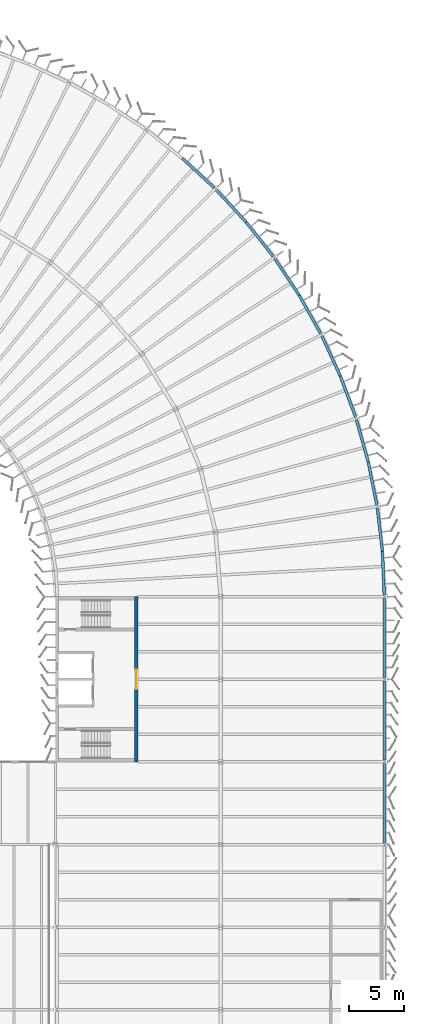
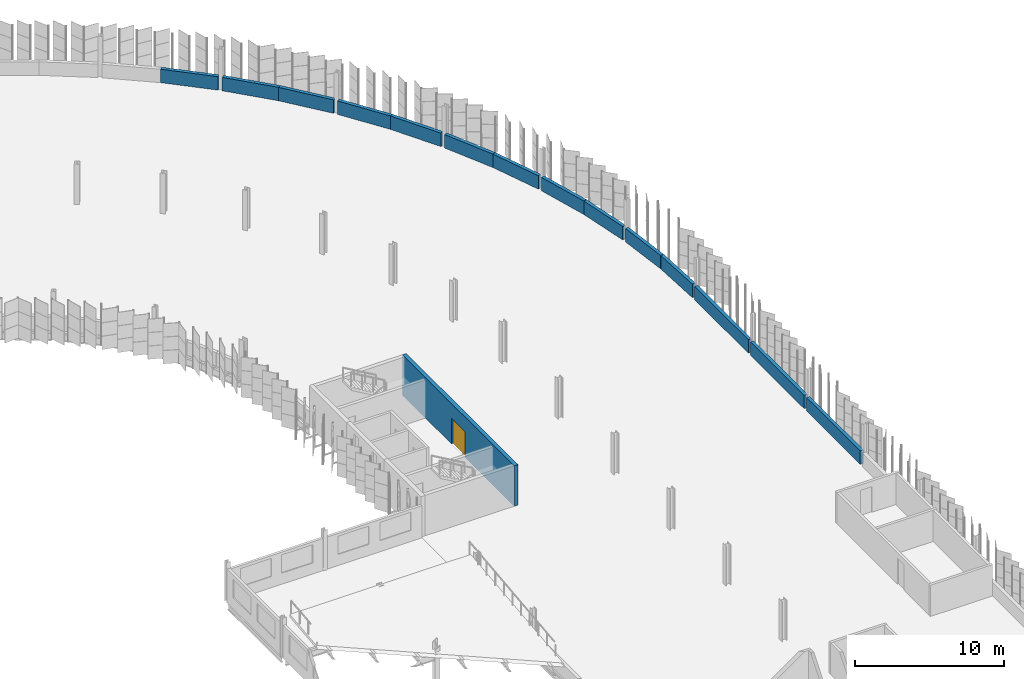
# One storey, part 78 of 214: 15 walls, 1 door, 1 opening.
"""IFC4 building model written with IfcOpenShell, lengths in metres."""

from ifc_helpers import new_model, si_unit, direction, frame, frame_2d, origin, place, context, subcontext, project, spatial, rectangle, extrude, material, layer, layer_set, type_object, element, fill, save


model = new_model("IFC4")

# Units and contexts
model_context = context("Model", 3, precision=1e-05, world=origin(), true_north=direction((0.0, 1.0)))
body_context = subcontext(model_context, "Body", "Model", "MODEL_VIEW")
ifc_project = project(units=[si_unit("LENGTHUNIT", "METRE"), si_unit("AREAUNIT", "SQUARE_METRE"), si_unit("VOLUMEUNIT", "CUBIC_METRE"), si_unit("PLANEANGLEUNIT", "RADIAN"), si_unit("MASSUNIT", "GRAM", prefix="KILO")], contexts=[model_context])

# Site, building, storey
site_placement = place(None, origin())
site = spatial("IfcSite", under=ifc_project, at=site_placement, CompositionType="ELEMENT")
building_placement = place(site_placement, origin())
building = spatial("IfcBuilding", under=site, at=building_placement, Name="Parallax Yard Mobility Hub", CompositionType="ELEMENT")
storey_placement = place(building_placement, frame((0.0, 0.0, 3.300048828125)))
storey = spatial("IfcBuildingStorey", under=building, at=storey_placement, Name="L01", CompositionType="ELEMENT", Elevation=3.300048828125)

# Wall, opening, door
ifc_material_1 = material(Name="Concrete fc' 35 MPa", Category="concrete")
ifc_layer_1 = layer(ifc_material_1, 0.300048828125)
ifc_layer_set_1 = layer_set([ifc_layer_1], Name="Concrete fc' 35 MPa core wall 300")
wall_type_1 = type_object("IfcWallType", Name="Concrete fc' 35 MPa core wall 300", PredefinedType="SHEAR", material=ifc_layer_set_1)
wall_1_placement = place(storey_placement, frame((202.35009765625, 90.0, 0.0), z_axis=(0.0, 0.0, 1.0), x_axis=(0.0, -1.0, 0.0)))
wall_1 = element("IfcWall", 1, at=wall_1_placement, inside=storey, type_object=wall_type_1, Name="Core C-E entry wall level L01", PredefinedType="SHEAR", context=body_context, shape_type="SweptSolid", body=[
    extrude(rectangle(XDim=15.0, YDim=0.300048828125, at=frame_2d((7.5, 0.0))), origin(), (0.0, 0.0, 1.0), 3.300048828125),
])
opening_placement = place(wall_1_placement, frame((6.60009765625, 0.0, 0.0)))
opening = element("IfcOpeningElement", 2, at=opening_placement, cuts=wall_1, Name="Opening L01-D719", PredefinedType="OPENING", context=body_context, shape_type="SweptSolid", body=[
    extrude(rectangle(XDim=1.800048828125, YDim=2.10009765625, at=frame_2d((0.89990234375, 1.050048828125))), frame((0.0, 0.16015625, 0.0), z_axis=(0.0, -1.0, 0.0), x_axis=(1.0, 0.0, 0.0)), (0.0, 0.0, 1.0), 0.320068359375),
])
ifc_material_2 = material(Name="Hollow metal steel door and frame", Category="steel")
door_type = type_object("IfcDoorType", Name="Core double door 1800 x 2100 FD90", OperationType="NOTDEFINED", PredefinedType="DOOR", material=ifc_material_2)
door_placement = place(opening_placement, origin())
door = element("IfcDoor", 3, at=door_placement, inside=storey, type_object=door_type, Name="Lift lobby door L01-D719, core C-E level L01", OperationType="DOUBLE_DOOR_SINGLE_SWING", OverallHeight=2.10009765625, OverallWidth=1.800048828125, PredefinedType="DOOR", context=body_context, shape_type="SweptSolid", body=[
    extrude(rectangle(XDim=1.800048828125, YDim=2.10009765625, at=frame_2d((0.89990234375, 1.050048828125))), frame((0.0, 0.02490234375, 0.0), z_axis=(0.0, -1.0, 0.0), x_axis=(1.0, 0.0, 0.0)), (0.0, 0.0, 1.0), 0.050048828125),
])
fill(opening, door)

# Walls
ifc_layer_2 = layer(ifc_material_1, 0.25)
ifc_layer_set_2 = layer_set([ifc_layer_2], Name="Deck-edge barrier wall, Concrete fc' 35 MPa precast, 250")
wall_type_2 = type_object("IfcWallType", Name="Deck-edge barrier wall, Concrete fc' 35 MPa precast, 250", PredefinedType="SOLIDWALL", material=ifc_layer_set_2)
for number, where, z_axis, x_axis, name in (
    (4, (224.8525390625, 67.651611328125, 0.0), (0.0, 0.0, 1.0), (0.0, 1.0, 0.0), "Deck-edge barrier wall bay 38 level L01"),
    (5, (224.8525390625, 75.151611328125, 0.0), (0.0, 0.0, 1.0), (0.0, 1.0, 0.0), "Deck-edge barrier wall bay 39 level L01"),
):
    element("IfcWall", number, at=place(storey_placement, frame(where, z_axis=z_axis, x_axis=x_axis)), inside=storey, type_object=wall_type_2, Name=name, PredefinedType="SOLIDWALL", context=body_context, shape_type="SweptSolid", body=[
        extrude(rectangle(XDim=7.19677734375, YDim=0.25, at=frame_2d((3.598388671875, 0.0))), origin(), (0.0, 0.0, 1.0), 1.099853515625),
    ])
wall_2_placement = place(storey_placement, frame((224.8525390625, 82.651611328125, 0.0), z_axis=(0.0, 0.0, 1.0), x_axis=(0.0, 1.0, 0.0)))
element("IfcWall", 6, at=wall_2_placement, inside=storey, type_object=wall_type_2, Name="Deck-edge barrier wall bay 40 level L01", PredefinedType="SOLIDWALL", context=body_context, shape_type="SweptSolid", body=[
    extrude(rectangle(XDim=7.198974609375, YDim=0.25, at=frame_2d((3.599609375, 0.0))), origin(), (0.0, 0.0, 1.0), 1.099853515625),
])
wall_3_placement = place(storey_placement, frame((224.846435546875, 90.147705078125, 0.0), z_axis=(0.0, 0.0, 1.0), x_axis=(-0.040231712823, 0.999190376897, 0.0)))
element("IfcWall", 7, at=wall_3_placement, inside=storey, type_object=wall_type_2, Name="Deck-edge barrier wall bay 41-1 level L01", PredefinedType="SOLIDWALL", context=body_context, shape_type="SweptSolid", body=[
    extrude(rectangle(XDim=3.95654296875, YDim=0.25, at=frame_2d((1.978271484375, 0.0))), origin(), (0.0, 0.0, 1.0), 1.099853515625),
])
wall_4_placement = place(storey_placement, frame((224.686279296875, 94.11328125, 0.0), z_axis=(0.0, 0.0, 1.0), x_axis=(-0.117861034608, 0.993030098497, 0.0)))
element("IfcWall", 8, at=wall_4_placement, inside=storey, type_object=wall_type_2, Name="Deck-edge barrier wall bay 41-2 level L01", PredefinedType="SOLIDWALL", context=body_context, shape_type="SweptSolid", body=[
    extrude(rectangle(XDim=3.95849609375, YDim=0.25, at=frame_2d((1.979248046875, 0.0))), origin(), (0.0, 0.0, 1.0), 1.099853515625),
])
wall_5_placement = place(storey_placement, frame((224.17431640625, 98.331787109375, 0.0), z_axis=(0.0, 0.0, 1.0), x_axis=(-0.194823215634, 0.980838373357, 0.0)))
element("IfcWall", 9, at=wall_5_placement, inside=storey, type_object=wall_type_2, Name="Deck-edge barrier wall bay 42-1 level L01", PredefinedType="SOLIDWALL", context=body_context, shape_type="SweptSolid", body=[
    extrude(rectangle(XDim=3.958740234375, YDim=0.25, at=frame_2d((1.9794921875, 0.0))), origin(), (0.0, 0.0, 1.0), 1.099853515625),
])
wall_6_placement = place(storey_placement, frame((223.400390625, 102.2265625, 0.0), z_axis=(0.0, 0.0, 1.0), x_axis=(-0.270542072102, 0.962708152673, 0.0)))
element("IfcWall", 10, at=wall_6_placement, inside=storey, type_object=wall_type_2, Name="Deck-edge barrier wall bay 42-2 level L01", PredefinedType="SOLIDWALL", context=body_context, shape_type="SweptSolid", body=[
    extrude(rectangle(XDim=3.960693359375, YDim=0.25, at=frame_2d((1.98046875, 0.0))), origin(), (0.0, 0.0, 1.0), 1.099853515625),
])
wall_7_placement = place(storey_placement, frame((222.23876953125, 106.31640625, 0.0), z_axis=(0.0, 0.0, 1.0), x_axis=(-0.347063151697, 0.937841761031, 0.0)))
element("IfcWall", 11, at=wall_7_placement, inside=storey, type_object=wall_type_2, Name="Deck-edge barrier wall bay 43-1 level L01", PredefinedType="SOLIDWALL", context=body_context, shape_type="SweptSolid", body=[
    extrude(rectangle(XDim=3.956787109375, YDim=0.25, at=frame_2d((1.978515625, 0.0))), origin(), (0.0, 0.0, 1.0), 1.099853515625),
])
for number, where, z_axis, x_axis, name in (
    (12, (220.861083984375, 110.03857421875, 0.0), (0.0, 0.0, 1.0), (-0.418968218026, 0.908000898834, 0.0), "Deck-edge barrier wall bay 43-2 level L01"),
    (13, (219.0703125, 113.892333984375, 0.0), (0.0, 0.0, 1.0), (-0.488347931105, 0.872649012024, 0.0), "Deck-edge barrier wall bay 44-1 level L01"),
):
    element("IfcWall", number, at=place(storey_placement, frame(where, z_axis=z_axis, x_axis=x_axis)), inside=storey, type_object=wall_type_2, Name=name, PredefinedType="SOLIDWALL", context=body_context, shape_type="SweptSolid", body=[
        extrude(rectangle(XDim=3.95849609375, YDim=0.25, at=frame_2d((1.979248046875, 0.0))), origin(), (0.0, 0.0, 1.0), 1.099853515625),
    ])
wall_8_placement = place(storey_placement, frame((217.131103515625, 117.35693359375, 0.0), z_axis=(0.0, 0.0, 1.0), x_axis=(-0.554785620871, 0.831993338239, 0.0)))
element("IfcWall", 14, at=wall_8_placement, inside=storey, type_object=wall_type_2, Name="Deck-edge barrier wall bay 44-2 level L01", PredefinedType="SOLIDWALL", context=body_context, shape_type="SweptSolid", body=[
    extrude(rectangle(XDim=3.95703125, YDim=0.25, at=frame_2d((1.978515625, 0.0))), origin(), (0.0, 0.0, 1.0), 1.099853515625),
])
wall_9_placement = place(storey_placement, frame((214.764892578125, 120.884521484375, 0.0), z_axis=(0.0, 0.0, 1.0), x_axis=(-0.619842123879, 0.78472653929, 0.0)))
element("IfcWall", 15, at=wall_9_placement, inside=storey, type_object=wall_type_2, Name="Deck-edge barrier wall bay 45-1 level L01", PredefinedType="SOLIDWALL", context=body_context, shape_type="SweptSolid", body=[
    extrude(rectangle(XDim=3.960693359375, YDim=0.25, at=frame_2d((1.98046875, 0.0))), origin(), (0.0, 0.0, 1.0), 1.099853515625),
])
for number, where, z_axis, x_axis, name in (
    (16, (212.302001953125, 124.001953125, 0.0), (0.0, 0.0, 1.0), (-0.67903284157, 0.734107894025, 0.0), "Deck-edge barrier wall bay 45-2 level L01"),
    (17, (209.407958984375, 127.114013671875, 0.0), (0.0, 0.0, 1.0), (-0.734107894025, 0.67903284157, 0.0), "Deck-edge barrier wall bay 46-1 level L01"),
):
    element("IfcWall", number, at=place(storey_placement, frame(where, z_axis=z_axis, x_axis=x_axis)), inside=storey, type_object=wall_type_2, Name=name, PredefinedType="SOLIDWALL", context=body_context, shape_type="SweptSolid", body=[
        extrude(rectangle(XDim=3.95849609375, YDim=0.25, at=frame_2d((1.979248046875, 0.0))), origin(), (0.0, 0.0, 1.0), 1.099853515625),
    ])

save(model, "model.ifc")
